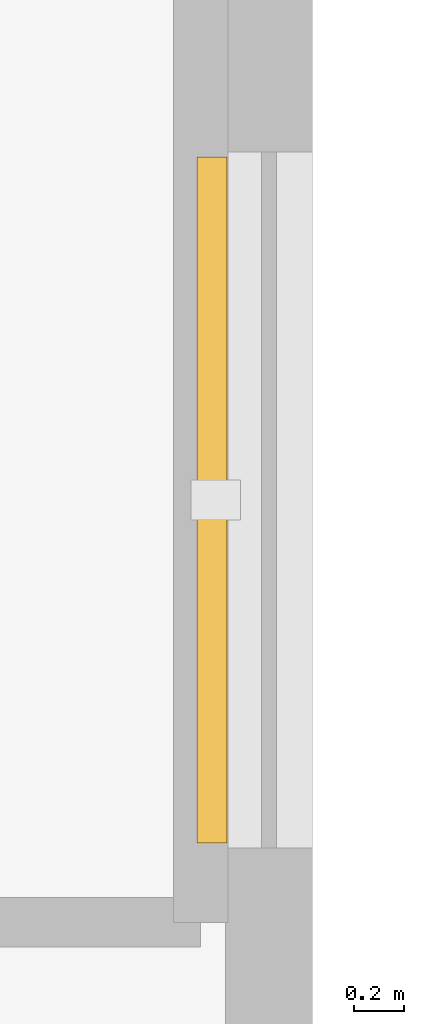
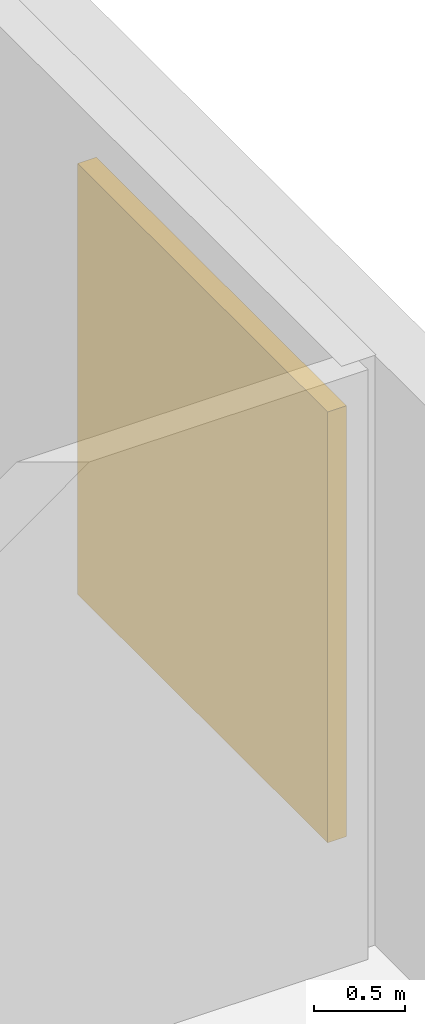
# One storey, part 16 of 16: 1 shading device.
"""IFC4 building model written with IfcOpenShell, lengths in metres."""

from ifc_helpers import new_model, si_unit, direction, frame, origin, origin_2d, place, context, subcontext, project, spatial, rectangle, extrude, material, layer, layer_set, type_object, element, save


model = new_model("IFC4")

# Units and contexts
model_context = context("Model", 3, precision=1e-05, world=origin(), true_north=direction((0.0, 1.0)))
body_context = subcontext(model_context, "Body", "Model", "MODEL_VIEW")
ifc_project = project(units=[si_unit("LENGTHUNIT", "METRE"), si_unit("AREAUNIT", "SQUARE_METRE"), si_unit("VOLUMEUNIT", "CUBIC_METRE"), si_unit("PLANEANGLEUNIT", "RADIAN"), si_unit("MASSUNIT", "GRAM", prefix="KILO")], contexts=[model_context])

# Site, building, storey
site_placement = place(None, origin())
site = spatial("IfcSite", under=ifc_project, at=site_placement, CompositionType="ELEMENT")
building_placement = place(site_placement, origin())
building = spatial("IfcBuilding", under=site, at=building_placement, Name="Koriwani Terraces Tower", CompositionType="ELEMENT")
storey_placement = place(building_placement, frame((0.0, 0.0, 355.39990234375)))
storey = spatial("IfcBuildingStorey", under=building, at=storey_placement, Name="L88", CompositionType="ELEMENT", Elevation=355.39990234375)

# Shading device
ifc_material = material(Name="Extruded Terracotta Clay", Category="masonry")
ifc_layer = layer(ifc_material, 0.1201171875, Name="Extruded Terracotta Clay")
ifc_layer_set = layer_set([ifc_layer], Name="Extruded Terracotta Clay")
shading_device_type = type_object("IfcShadingDeviceType", Name="TERRACOTTA_BAGUETTE_SCREEN_2800", PredefinedType="USERDEFINED", material=ifc_layer_set)
shading_device_placement = place(storey_placement, frame((33.195068359375, 63.0, 0.53515625), z_axis=(0.0, 0.0, 1.0), x_axis=(0.0, -1.0, 0.0)))
element("IfcShadingDevice", 1, at=shading_device_placement, inside=storey, type_object=shading_device_type, Name="L88 Extruded Terracotta Baguette Screen (NW_IN-11)", ObjectType="BAGUETTE", PredefinedType="USERDEFINED", context=body_context, shape_type="SweptSolid", body=[
    extrude(rectangle(XDim=2.760009765625, YDim=0.1201171875, at=origin_2d()), origin(), (0.0, 0.0, 1.0), 2.89990234375),
])

save(model, "model.ifc")
